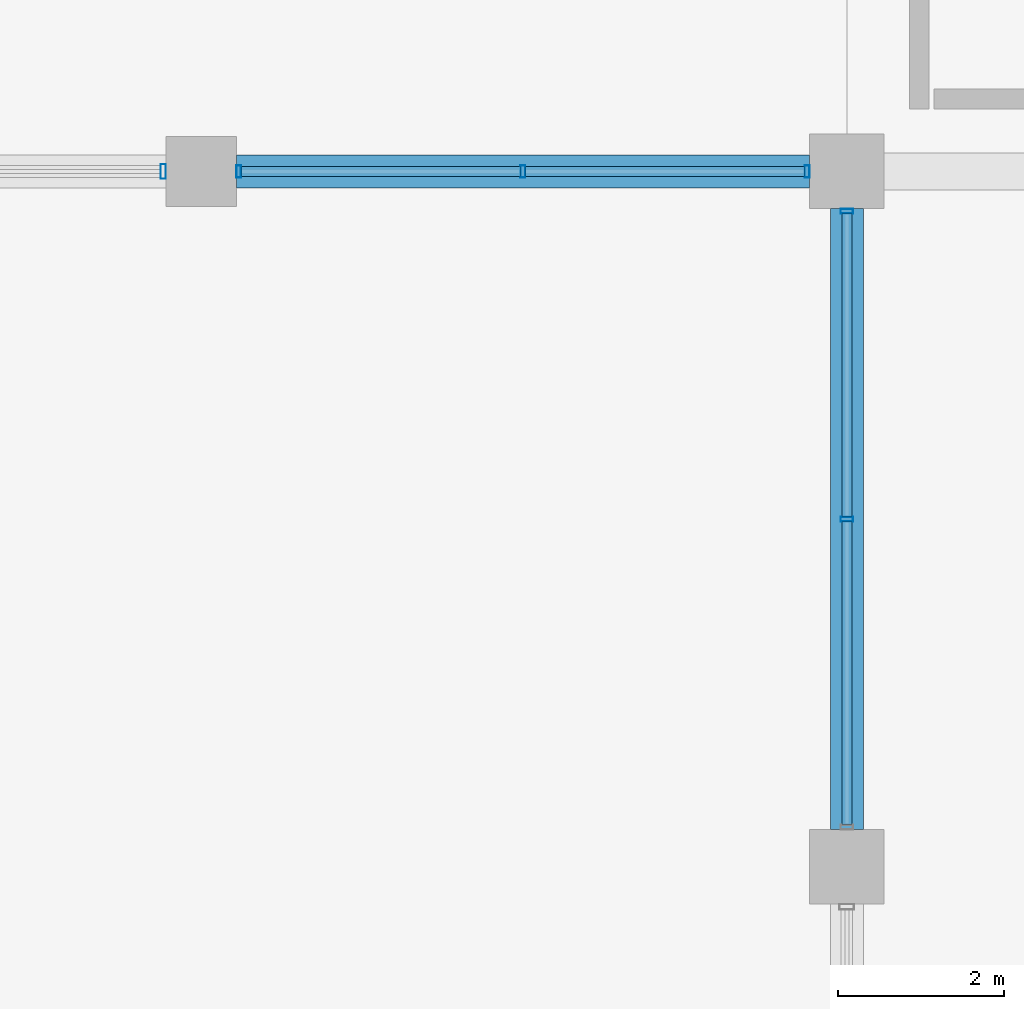
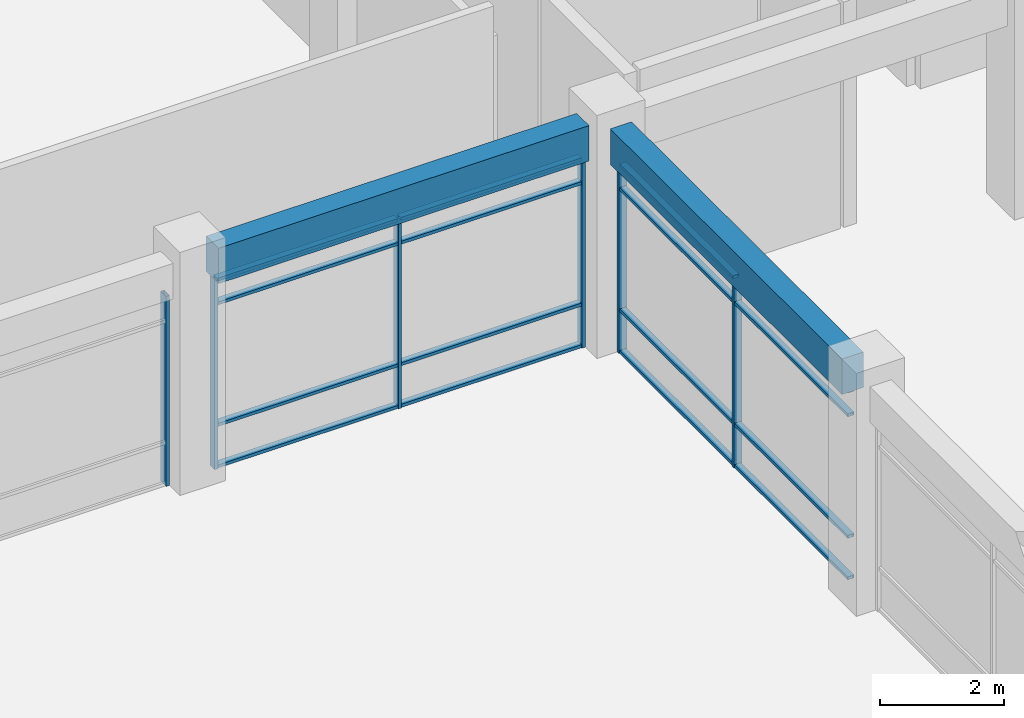
# One storey, part 31 of 74: 22 members, 2 beams, 3 elements without a shape of their own.
"""IFC4 building model written with IfcOpenShell, lengths in metres."""

from ifc_helpers import new_model, si_unit, direction, frame, origin, origin_2d, place, context, subcontext, project, spatial, rectangle, hollow_rectangle, extrude, material, material_profile, profile_set, type_object, element, aggregate, save


model = new_model("IFC4")

# Units and contexts
model_context = context("Model", 3, precision=1e-05, world=origin(), true_north=direction((0.0, 1.0)))
body_context = subcontext(model_context, "Body", "Model", "MODEL_VIEW")
ifc_project = project(units=[si_unit("LENGTHUNIT", "METRE"), si_unit("AREAUNIT", "SQUARE_METRE"), si_unit("VOLUMEUNIT", "CUBIC_METRE"), si_unit("PLANEANGLEUNIT", "RADIAN"), si_unit("MASSUNIT", "GRAM", prefix="KILO"), si_unit("THERMODYNAMICTEMPERATUREUNIT", "KELVIN"), si_unit("POWERUNIT", "WATT")], contexts=[model_context])

# Site, building, storey
site_placement = place(None, origin())
site = spatial("IfcSite", under=ifc_project, at=site_placement, CompositionType="ELEMENT")
building_placement = place(site_placement, origin())
building = spatial("IfcBuilding", under=site, at=building_placement, Name="Srebrne Nadtorze General Hospital", CompositionType="ELEMENT")
storey_placement = place(building_placement, origin())
storey = spatial("IfcBuildingStorey", under=building, at=storey_placement, Name="L00", CompositionType="ELEMENT", Elevation=0.0)

# Curtain wall, members
ifc_material_1 = material(Name="Anodised Aluminium", Category="aluminium")
curtain_wall_type_1 = type_object("IfcCurtainWallType", Name="Unitised curtain wall 6925x3750", PredefinedType="NOTDEFINED", material=ifc_material_1)
curtain_wall_1_placement = place(storey_placement, origin())
curtain_wall_1 = element("IfcCurtainWall", 1, at=curtain_wall_1_placement, inside=storey, type_object=curtain_wall_type_1, Name="Curtain wall CW-018", PredefinedType="NOTDEFINED")
ifc_material_2 = material(Name="Anodised Aluminium", Category="aluminium")
ifc_material_profile_1 = material_profile(ifc_material_2, hollow_rectangle(XDim=0.06005859375, YDim=0.14990234375, WallThickness=0.00390625, at=origin_2d()), Name="AL-MUL-60x150")
ifc_profile_set_1 = profile_set([ifc_material_profile_1], Name="Anodised Aluminium")
member_type_1 = type_object("IfcMemberType", Name="Curtain mullion 60x150", PredefinedType="MULLION", material=ifc_profile_set_1)
member_1_placement = place(storey_placement, frame((94.054931640625, 50.39990234375, 0.0), z_axis=(0.0, 0.0, 1.0), x_axis=(1.0, 0.0, 0.0)))
member_1 = element("IfcMember", 2, at=member_1_placement, type_object=member_type_1, Name="CW-018 mullion 1", PredefinedType="MULLION", context=body_context, shape_type="SweptSolid", body=[
    extrude(hollow_rectangle(XDim=0.06005859375, YDim=0.14990234375, WallThickness=0.00390625, at=origin_2d()), origin(), (0.0, 0.0, 1.0), 3.75),
])
member_2_placement = place(storey_placement, frame((97.487548828125, 50.39990234375, 0.0), z_axis=(0.0, 0.0, 1.0), x_axis=(1.0, 0.0, 0.0)))
member_2 = element("IfcMember", 3, at=member_2_placement, type_object=member_type_1, Name="CW-018 mullion 2", PredefinedType="MULLION", context=body_context, shape_type="SweptSolid", body=[
    extrude(hollow_rectangle(XDim=0.06005859375, YDim=0.14990234375, WallThickness=0.00390625, at=origin_2d()), origin(), (0.0, 0.0, 1.0), 3.75),
])
member_3_placement = place(storey_placement, frame((100.919921875, 50.39990234375, 0.0), z_axis=(0.0, 0.0, 1.0), x_axis=(1.0, 0.0, 0.0)))
member_3 = element("IfcMember", 4, at=member_3_placement, type_object=member_type_1, Name="CW-018 mullion 3", PredefinedType="MULLION", context=body_context, shape_type="SweptSolid", body=[
    extrude(hollow_rectangle(XDim=0.06005859375, YDim=0.14990234375, WallThickness=0.00390625, at=origin_2d()), origin(), (0.0, 0.0, 1.0), 3.75),
])

ifc_material_3 = material(Name="Anodised Aluminium", Category="aluminium")
curtain_wall_type_2 = type_object("IfcCurtainWallType", Name="Unitised curtain wall 7500x3750", PredefinedType="NOTDEFINED", material=ifc_material_3)
curtain_wall_2_placement = place(storey_placement, origin())
curtain_wall_2 = element("IfcCurtainWall", 5, at=curtain_wall_2_placement, inside=storey, type_object=curtain_wall_type_2, Name="Curtain wall CW-024", PredefinedType="NOTDEFINED")
member_4_placement = place(storey_placement, frame((101.39990234375, 46.199951171875, 0.0), z_axis=(0.0, 0.0, 1.0), x_axis=(0.0, 1.0, 0.0)))
member_4 = element("IfcMember", 6, at=member_4_placement, type_object=member_type_1, Name="CW-024 mullion 2", PredefinedType="MULLION", context=body_context, shape_type="SweptSolid", body=[
    extrude(hollow_rectangle(XDim=0.06005859375, YDim=0.14990234375, WallThickness=0.00390625, at=origin_2d()), origin(), (0.0, 0.0, 1.0), 3.75),
])
member_5_placement = place(storey_placement, frame((101.39990234375, 49.919921875, 0.0), z_axis=(0.0, 0.0, 1.0), x_axis=(0.0, 1.0, 0.0)))
member_5 = element("IfcMember", 7, at=member_5_placement, type_object=member_type_1, Name="CW-024 mullion 3", PredefinedType="MULLION", context=body_context, shape_type="SweptSolid", body=[
    extrude(hollow_rectangle(XDim=0.06005859375, YDim=0.14990234375, WallThickness=0.00390625, at=origin_2d()), origin(), (0.0, 0.0, 1.0), 3.75),
])

# Curtain wall, member
ifc_material_4 = material(Name="Anodised Aluminium", Category="aluminium")
curtain_wall_type_3 = type_object("IfcCurtainWallType", Name="Unitised curtain wall 6950x3750", PredefinedType="NOTDEFINED", material=ifc_material_4)
curtain_wall_3_placement = place(storey_placement, origin())
curtain_wall_3 = element("IfcCurtainWall", 8, at=curtain_wall_3_placement, inside=storey, type_object=curtain_wall_type_3, Name="Curtain wall CW-017", PredefinedType="NOTDEFINED")
ifc_material_5 = material(Name="Anodised Aluminium", Category="aluminium")
ifc_material_profile_2 = material_profile(ifc_material_5, hollow_rectangle(XDim=0.06494140625, YDim=0.179931640625, WallThickness=0.00390625, at=origin_2d()), Name="AL-MUL-65x180")
ifc_profile_set_2 = profile_set([ifc_material_profile_2], Name="Anodised Aluminium")
member_type_2 = type_object("IfcMemberType", Name="Curtain mullion 65x180", PredefinedType="MULLION", material=ifc_profile_set_2)
member_6_placement = place(storey_placement, frame((93.142578125, 50.39990234375, 0.0), z_axis=(0.0, 0.0, 1.0), x_axis=(1.0, 0.0, 0.0)))
member_6 = element("IfcMember", 9, at=member_6_placement, type_object=member_type_2, Name="CW-017 mullion 3", PredefinedType="MULLION", context=body_context, shape_type="SweptSolid", body=[
    extrude(hollow_rectangle(XDim=0.06494140625, YDim=0.179931640625, WallThickness=0.00390625, at=origin_2d()), origin(), (0.0, 0.0, 1.0), 3.75),
])
aggregate(curtain_wall_3, [member_6])

# Member
ifc_material_6 = material(Name="Anodised Aluminium", Category="aluminium")
ifc_material_profile_3 = material_profile(ifc_material_6, hollow_rectangle(XDim=0.06005859375, YDim=0.1201171875, WallThickness=0.00390625, at=origin_2d()), Name="AL-TRN-60x120")
ifc_profile_set_3 = profile_set([ifc_material_profile_3], Name="Anodised Aluminium")
member_type_3 = type_object("IfcMemberType", Name="Curtain transom 60x120", PredefinedType="USERDEFINED", material=ifc_profile_set_3)
member_7_placement = place(storey_placement, frame((94.0849609375, 50.39990234375, 0.030029296875), z_axis=(1.0, 0.0, 0.0), x_axis=(0.0, 0.0, 1.0)))
member_7 = element("IfcMember", 10, at=member_7_placement, type_object=member_type_3, Name="CW-018 transom 1.1", ObjectType="TRANSOM", PredefinedType="USERDEFINED", context=body_context, shape_type="SweptSolid", body=[
    extrude(hollow_rectangle(XDim=0.06005859375, YDim=0.1201171875, WallThickness=0.00390625, at=origin_2d()), origin(), (0.0, 0.0, 1.0), 3.37255859375),
])

member_8_placement = place(storey_placement, frame((94.0849609375, 50.39990234375, 0.85009765625), z_axis=(1.0, 0.0, 0.0), x_axis=(0.0, 0.0, 1.0)))
member_8 = element("IfcMember", 11, at=member_8_placement, type_object=member_type_3, Name="CW-018 transom 1.2", ObjectType="TRANSOM", PredefinedType="USERDEFINED", context=body_context, shape_type="SweptSolid", body=[
    extrude(hollow_rectangle(XDim=0.06005859375, YDim=0.1201171875, WallThickness=0.00390625, at=origin_2d()), origin(), (0.0, 0.0, 1.0), 3.37255859375),
])

member_9_placement = place(storey_placement, frame((94.0849609375, 50.39990234375, 3.25), z_axis=(1.0, 0.0, 0.0), x_axis=(0.0, 0.0, 1.0)))
member_9 = element("IfcMember", 12, at=member_9_placement, type_object=member_type_3, Name="CW-018 transom 1.3", ObjectType="TRANSOM", PredefinedType="USERDEFINED", context=body_context, shape_type="SweptSolid", body=[
    extrude(hollow_rectangle(XDim=0.06005859375, YDim=0.1201171875, WallThickness=0.00390625, at=origin_2d()), origin(), (0.0, 0.0, 1.0), 3.37255859375),
])

member_10_placement = place(storey_placement, frame((94.0849609375, 50.39990234375, 3.719970703125), z_axis=(1.0, 0.0, 0.0), x_axis=(0.0, 0.0, 1.0)))
member_10 = element("IfcMember", 13, at=member_10_placement, type_object=member_type_3, Name="CW-018 transom 1.4", ObjectType="TRANSOM", PredefinedType="USERDEFINED", context=body_context, shape_type="SweptSolid", body=[
    extrude(hollow_rectangle(XDim=0.06005859375, YDim=0.1201171875, WallThickness=0.00390625, at=origin_2d()), origin(), (0.0, 0.0, 1.0), 3.37255859375),
])

member_11_placement = place(storey_placement, frame((97.517578125, 50.39990234375, 0.030029296875), z_axis=(1.0, 0.0, 0.0), x_axis=(0.0, 0.0, 1.0)))
member_11 = element("IfcMember", 14, at=member_11_placement, type_object=member_type_3, Name="CW-018 transom 2.1", ObjectType="TRANSOM", PredefinedType="USERDEFINED", context=body_context, shape_type="SweptSolid", body=[
    extrude(hollow_rectangle(XDim=0.06005859375, YDim=0.1201171875, WallThickness=0.00390625, at=origin_2d()), origin(), (0.0, 0.0, 1.0), 3.372314453125),
])

member_12_placement = place(storey_placement, frame((97.517578125, 50.39990234375, 0.85009765625), z_axis=(1.0, 0.0, 0.0), x_axis=(0.0, 0.0, 1.0)))
member_12 = element("IfcMember", 15, at=member_12_placement, type_object=member_type_3, Name="CW-018 transom 2.2", ObjectType="TRANSOM", PredefinedType="USERDEFINED", context=body_context, shape_type="SweptSolid", body=[
    extrude(hollow_rectangle(XDim=0.06005859375, YDim=0.1201171875, WallThickness=0.00390625, at=origin_2d()), origin(), (0.0, 0.0, 1.0), 3.372314453125),
])

member_13_placement = place(storey_placement, frame((97.517578125, 50.39990234375, 3.25), z_axis=(1.0, 0.0, 0.0), x_axis=(0.0, 0.0, 1.0)))
member_13 = element("IfcMember", 16, at=member_13_placement, type_object=member_type_3, Name="CW-018 transom 2.3", ObjectType="TRANSOM", PredefinedType="USERDEFINED", context=body_context, shape_type="SweptSolid", body=[
    extrude(hollow_rectangle(XDim=0.06005859375, YDim=0.1201171875, WallThickness=0.00390625, at=origin_2d()), origin(), (0.0, 0.0, 1.0), 3.372314453125),
])

member_14_placement = place(storey_placement, frame((97.517578125, 50.39990234375, 3.719970703125), z_axis=(1.0, 0.0, 0.0), x_axis=(0.0, 0.0, 1.0)))
member_14 = element("IfcMember", 17, at=member_14_placement, type_object=member_type_3, Name="CW-018 transom 2.4", ObjectType="TRANSOM", PredefinedType="USERDEFINED", context=body_context, shape_type="SweptSolid", body=[
    extrude(hollow_rectangle(XDim=0.06005859375, YDim=0.1201171875, WallThickness=0.00390625, at=origin_2d()), origin(), (0.0, 0.0, 1.0), 3.372314453125),
])

aggregate(curtain_wall_1, [member_1, member_2, member_3, member_7, member_8, member_9, member_10, member_11, member_12, member_13, member_14])

member_15_placement = place(storey_placement, frame((101.39990234375, 42.510009765625, 0.030029296875), z_axis=(0.0, 1.0, 0.0), x_axis=(0.0, 0.0, 1.0)))
member_15 = element("IfcMember", 18, at=member_15_placement, type_object=member_type_3, Name="CW-024 transom 1.1", ObjectType="TRANSOM", PredefinedType="USERDEFINED", context=body_context, shape_type="SweptSolid", body=[
    extrude(hollow_rectangle(XDim=0.06005859375, YDim=0.1201171875, WallThickness=0.00390625, at=origin_2d()), origin(), (0.0, 0.0, 1.0), 3.659912109375),
])

member_16_placement = place(storey_placement, frame((101.39990234375, 42.510009765625, 0.85009765625), z_axis=(0.0, 1.0, 0.0), x_axis=(0.0, 0.0, 1.0)))
member_16 = element("IfcMember", 19, at=member_16_placement, type_object=member_type_3, Name="CW-024 transom 1.2", ObjectType="TRANSOM", PredefinedType="USERDEFINED", context=body_context, shape_type="SweptSolid", body=[
    extrude(hollow_rectangle(XDim=0.06005859375, YDim=0.1201171875, WallThickness=0.00390625, at=origin_2d()), origin(), (0.0, 0.0, 1.0), 3.659912109375),
])

member_17_placement = place(storey_placement, frame((101.39990234375, 42.510009765625, 3.25), z_axis=(0.0, 1.0, 0.0), x_axis=(0.0, 0.0, 1.0)))
member_17 = element("IfcMember", 20, at=member_17_placement, type_object=member_type_3, Name="CW-024 transom 1.3", ObjectType="TRANSOM", PredefinedType="USERDEFINED", context=body_context, shape_type="SweptSolid", body=[
    extrude(hollow_rectangle(XDim=0.06005859375, YDim=0.1201171875, WallThickness=0.00390625, at=origin_2d()), origin(), (0.0, 0.0, 1.0), 3.659912109375),
])

member_18_placement = place(storey_placement, frame((101.39990234375, 42.510009765625, 3.719970703125), z_axis=(0.0, 1.0, 0.0), x_axis=(0.0, 0.0, 1.0)))
member_18 = element("IfcMember", 21, at=member_18_placement, type_object=member_type_3, Name="CW-024 transom 1.4", ObjectType="TRANSOM", PredefinedType="USERDEFINED", context=body_context, shape_type="SweptSolid", body=[
    extrude(hollow_rectangle(XDim=0.06005859375, YDim=0.1201171875, WallThickness=0.00390625, at=origin_2d()), origin(), (0.0, 0.0, 1.0), 3.659912109375),
])

member_19_placement = place(storey_placement, frame((101.39990234375, 46.22998046875, 0.030029296875), z_axis=(0.0, 1.0, 0.0), x_axis=(0.0, 0.0, 1.0)))
member_19 = element("IfcMember", 22, at=member_19_placement, type_object=member_type_3, Name="CW-024 transom 2.1", ObjectType="TRANSOM", PredefinedType="USERDEFINED", context=body_context, shape_type="SweptSolid", body=[
    extrude(hollow_rectangle(XDim=0.06005859375, YDim=0.1201171875, WallThickness=0.00390625, at=origin_2d()), origin(), (0.0, 0.0, 1.0), 3.659912109375),
])

member_20_placement = place(storey_placement, frame((101.39990234375, 46.22998046875, 0.85009765625), z_axis=(0.0, 1.0, 0.0), x_axis=(0.0, 0.0, 1.0)))
member_20 = element("IfcMember", 23, at=member_20_placement, type_object=member_type_3, Name="CW-024 transom 2.2", ObjectType="TRANSOM", PredefinedType="USERDEFINED", context=body_context, shape_type="SweptSolid", body=[
    extrude(hollow_rectangle(XDim=0.06005859375, YDim=0.1201171875, WallThickness=0.00390625, at=origin_2d()), origin(), (0.0, 0.0, 1.0), 3.659912109375),
])

member_21_placement = place(storey_placement, frame((101.39990234375, 46.22998046875, 3.25), z_axis=(0.0, 1.0, 0.0), x_axis=(0.0, 0.0, 1.0)))
member_21 = element("IfcMember", 24, at=member_21_placement, type_object=member_type_3, Name="CW-024 transom 2.3", ObjectType="TRANSOM", PredefinedType="USERDEFINED", context=body_context, shape_type="SweptSolid", body=[
    extrude(hollow_rectangle(XDim=0.06005859375, YDim=0.1201171875, WallThickness=0.00390625, at=origin_2d()), origin(), (0.0, 0.0, 1.0), 3.659912109375),
])

member_22_placement = place(storey_placement, frame((101.39990234375, 46.22998046875, 3.719970703125), z_axis=(0.0, 1.0, 0.0), x_axis=(0.0, 0.0, 1.0)))
member_22 = element("IfcMember", 25, at=member_22_placement, type_object=member_type_3, Name="CW-024 transom 2.4", ObjectType="TRANSOM", PredefinedType="USERDEFINED", context=body_context, shape_type="SweptSolid", body=[
    extrude(hollow_rectangle(XDim=0.06005859375, YDim=0.1201171875, WallThickness=0.00390625, at=origin_2d()), origin(), (0.0, 0.0, 1.0), 3.659912109375),
])

aggregate(curtain_wall_2, [member_4, member_5, member_15, member_16, member_17, member_18, member_19, member_20, member_21, member_22])

# Beams
ifc_material_7 = material(Name="Concrete C40/50", Category="concrete")
ifc_material_profile_4 = material_profile(ifc_material_7, rectangle(XDim=0.39990234375, YDim=0.699951171875, at=origin_2d()), Name="RC-BM-400x700")
ifc_profile_set_4 = profile_set([ifc_material_profile_4], Name="Concrete C40/50")
beam_type = type_object("IfcBeamType", Name="Edge beam RC 400x700", PredefinedType="BEAM", material=ifc_profile_set_4)
beam_1_placement = place(storey_placement, frame((94.02490234375, 50.39990234375, 4.10009765625), z_axis=(1.0, 0.0, 0.0), x_axis=(0.0, 1.0, 0.0)))
element("IfcBeam", 26, at=beam_1_placement, inside=storey, type_object=beam_type, Name="Beam BM-L00-X-0232", PredefinedType="BEAM", context=body_context, shape_type="SweptSolid", body=[
    extrude(rectangle(XDim=0.39990234375, YDim=0.699951171875, at=origin_2d()), origin(), (0.0, 0.0, 1.0), 6.925048828125),
])
beam_2_placement = place(storey_placement, frame((101.39990234375, 42.449951171875, 4.10009765625), z_axis=(0.0, 1.0, 0.0), x_axis=(-1.0, 0.0, 0.0)))
element("IfcBeam", 27, at=beam_2_placement, inside=storey, type_object=beam_type, Name="Beam BM-L00-Y-0324", PredefinedType="BEAM", context=body_context, shape_type="SweptSolid", body=[
    extrude(rectangle(XDim=0.39990234375, YDim=0.699951171875, at=origin_2d()), origin(), (0.0, 0.0, 1.0), 7.5),
])

save(model, "model.ifc")
